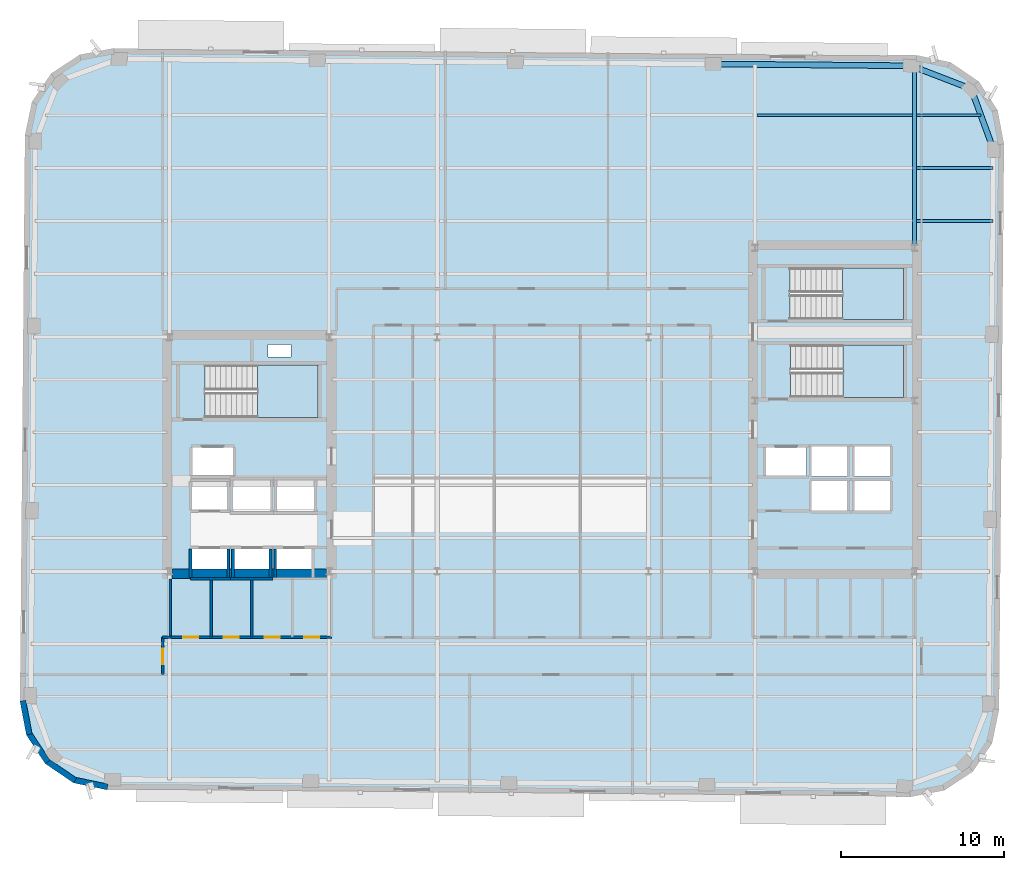
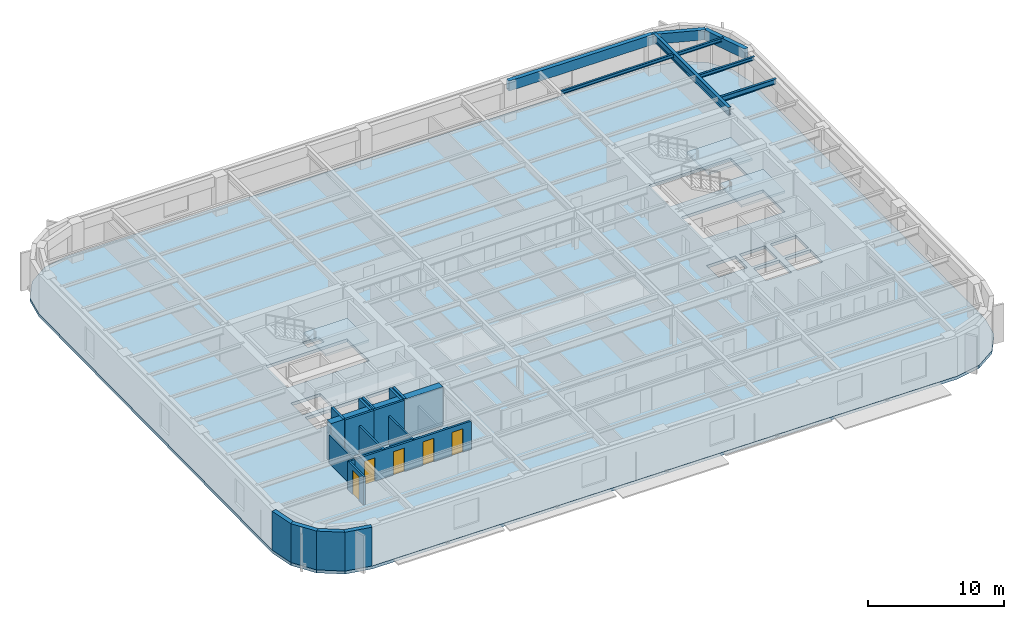
# One storey, part 3 of 12: 18 walls, 8 beams, 5 doors, 4 slabs, 5 openings, 3 elements without a shape of their own.
"""IFC4 building model written with IfcOpenShell, lengths in metres."""

from ifc_helpers import new_model, si_unit, direction, frame, frame_2d, origin, origin_2d, place, context, subcontext, project, spatial, polyline, rectangle, hollow_rectangle, i_section, outline, extrude, material, layer, layer_set, material_profile, profile_set, type_object, element, fill, aggregate, save


model = new_model("IFC4")

# Units and contexts
model_context = context("Model", 3, precision=1e-05, world=origin(), true_north=direction((0.0, 1.0)))
body_context = subcontext(model_context, "Body", "Model", "MODEL_VIEW")
ifc_project = project(units=[si_unit("LENGTHUNIT", "METRE"), si_unit("AREAUNIT", "SQUARE_METRE"), si_unit("VOLUMEUNIT", "CUBIC_METRE"), si_unit("PLANEANGLEUNIT", "RADIAN"), si_unit("MASSUNIT", "GRAM", prefix="KILO")], contexts=[model_context])

# Site, building, storey
site_placement = place(None, origin())
site = spatial("IfcSite", under=ifc_project, at=site_placement, CompositionType="ELEMENT")
building_placement = place(site_placement, origin())
building = spatial("IfcBuilding", under=site, at=building_placement, Name="Kolvaren Arena Tower", CompositionType="ELEMENT")
storey_placement = place(building_placement, frame((0.0, 0.0, 165.949951171875)))
storey = spatial("IfcBuildingStorey", under=building, at=storey_placement, Name="L39", CompositionType="ELEMENT", Elevation=165.949951171875)

# Beams
ifc_material_1 = material(Name="Steel CSA G40.21 350W", Category="steel")
ifc_material_profile_1 = material_profile(ifc_material_1, i_section(OverallWidth=0.193115234375, OverallDepth=0.462890625, WebThickness=0.0107421875, FlangeThickness=0.0205078125, FilletRadius=0.012939453125, at=origin_2d()), Name="W460x113")
ifc_profile_set_1 = profile_set([ifc_material_profile_1], Name="Steel CSA G40.21 350W")
beam_type_1 = type_object("IfcBeamType", Name="BEAM-F2", PredefinedType="BEAM", material=ifc_profile_set_1)
beam_1_placement = place(storey_placement, frame((60.4775390625, 41.0, 3.24853515625), z_axis=(1.0, 0.0, 0.0), x_axis=(0.0, 1.0, 0.0)))
element("IfcBeam", 1, at=beam_1_placement, inside=storey, type_object=beam_type_1, Name="Composite Floor Beam (L39)", PredefinedType="BEAM", context=body_context, shape_type="SweptSolid", body=[
    extrude(i_section(OverallWidth=0.193115234375, OverallDepth=0.462890625, WebThickness=0.0107421875, FlangeThickness=0.0205078125, FilletRadius=0.012939453125, at=origin_2d()), origin(), (0.0, 0.0, 1.0), 4.681884765625),
])
ifc_material_profile_2 = material_profile(ifc_material_1, i_section(OverallWidth=0.2548828125, OverallDepth=0.695068359375, WebThickness=0.01708984375, FlangeThickness=0.02978515625, FilletRadius=0.01611328125, at=origin_2d()), Name="W690x217")
ifc_profile_set_2 = profile_set([ifc_material_profile_2], Name="Steel CSA G40.21 350W")
beam_type_2 = type_object("IfcBeamType", Name="GIRD-T2", PredefinedType="BEAM", material=ifc_profile_set_2)
beam_2_placement = place(storey_placement, frame((60.35009765625, 39.47998046875, 3.132568359375), z_axis=(0.0, 1.0, 0.0), x_axis=(-1.0, 0.0, 0.0)))
element("IfcBeam", 2, at=beam_2_placement, inside=storey, type_object=beam_type_2, Name="Primary Floor Girder (L39)", PredefinedType="BEAM", context=body_context, shape_type="SweptSolid", body=[
    extrude(i_section(OverallWidth=0.2548828125, OverallDepth=0.695068359375, WebThickness=0.01708984375, FlangeThickness=0.02978515625, FilletRadius=0.01611328125, at=origin_2d()), origin(), (0.0, 0.0, 1.0), 10.976806640625),
])
ifc_material_profile_3 = material_profile(ifc_material_1, i_section(OverallWidth=0.1669921875, OverallDepth=0.31689453125, WebThickness=0.007568359375, FlangeThickness=0.01318359375, FilletRadius=0.010009765625, at=origin_2d()), Name="W310x52")
ifc_profile_set_3 = profile_set([ifc_material_profile_3], Name="Steel CSA G40.21 350W")
beam_type_3 = type_object("IfcBeamType", Name="JOIST-02", PredefinedType="JOIST", material=ifc_profile_set_3)
beam_3_placement = place(storey_placement, frame((60.4775390625, 44.25, 3.321533203125), z_axis=(1.0, 0.0, 0.0), x_axis=(0.0, 1.0, 0.0)))
element("IfcBeam", 3, at=beam_3_placement, inside=storey, type_object=beam_type_3, Name="Composite Floor Joist (L39)", PredefinedType="JOIST", context=body_context, shape_type="SweptSolid", body=[
    extrude(i_section(OverallWidth=0.1669921875, OverallDepth=0.31689453125, WebThickness=0.007568359375, FlangeThickness=0.01318359375, FilletRadius=0.010009765625, at=origin_2d()), origin(), (0.0, 0.0, 1.0), 4.710205078125),
])
beam_4_placement = place(storey_placement, frame((50.677490234375, 47.5, 3.321533203125), z_axis=(1.0, 0.0, 0.0), x_axis=(0.0, 1.0, 0.0)))
element("IfcBeam", 4, at=beam_4_placement, inside=storey, type_object=beam_type_3, Name="Composite Floor Joist (L39)", PredefinedType="JOIST", context=body_context, shape_type="SweptSolid", body=[
    extrude(i_section(OverallWidth=0.1669921875, OverallDepth=0.31689453125, WebThickness=0.007568359375, FlangeThickness=0.01318359375, FilletRadius=0.010009765625, at=origin_2d()), origin(), (0.0, 0.0, 1.0), 9.544921875),
])
beam_5_placement = place(storey_placement, frame((60.4775390625, 47.5, 3.321533203125), z_axis=(1.0, 0.0, 0.0), x_axis=(0.0, 1.0, 0.0)))
element("IfcBeam", 5, at=beam_5_placement, inside=storey, type_object=beam_type_3, Name="Composite Floor Joist (L39)", PredefinedType="JOIST", context=body_context, shape_type="SweptSolid", body=[
    extrude(i_section(OverallWidth=0.1669921875, OverallDepth=0.31689453125, WebThickness=0.007568359375, FlangeThickness=0.01318359375, FilletRadius=0.010009765625, at=origin_2d()), origin(), (0.0, 0.0, 1.0), 3.950439453125),
])
ifc_material_2 = material(Name="Steel CSA G40.21 350WT", Category="steel")
ifc_material_profile_4 = material_profile(ifc_material_2, hollow_rectangle(XDim=0.35009765625, YDim=0.89990234375, WallThickness=0.02001953125, at=origin_2d()), Name="HSS 900x350x20")
ifc_profile_set_4 = profile_set([ifc_material_profile_4], Name="Steel CSA G40.21 350WT")
beam_type_4 = type_object("IfcBeamType", Name="SPAND-01", PredefinedType="SPANDREL", material=ifc_profile_set_4)
for number, where, z_axis, x_axis, name in (
    (6, (65.19775390625, 45.392333984375, 3.030029296875), (-0.343059102458, 0.939313819882, 0.0), (-0.939313819882, -0.343059102458, 0.0), "Perimeter Spandrel Beam (L39)"),
    (7, (63.8388671875, 49.113037109375, 3.030029296875), (-0.933189846698, 0.359383792094, 0.0), (-0.359383792094, -0.933189846698, 0.0), "Perimeter Spandrel Beam (L39)"),
):
    element("IfcBeam", number, at=place(storey_placement, frame(where, z_axis=z_axis, x_axis=x_axis)), inside=storey, type_object=beam_type_4, Name=name, PredefinedType="SPANDREL", context=body_context, shape_type="SweptSolid", body=[
        extrude(hollow_rectangle(XDim=0.35009765625, YDim=0.89990234375, WallThickness=0.02001953125, at=origin_2d()), origin(), (0.0, 0.0, 1.0), 3.961181640625),
    ])
beam_6_placement = place(storey_placement, frame((60.142333984375, 50.53662109375, 3.030029296875), z_axis=(-0.99996195503, 0.008722871848, 0.0), x_axis=(-0.008722871848, -0.99996195503, 0.0)))
element("IfcBeam", 8, at=beam_6_placement, inside=storey, type_object=beam_type_4, Name="Perimeter Spandrel Beam (L39)", PredefinedType="SPANDREL", context=body_context, shape_type="SweptSolid", body=[
    extrude(hollow_rectangle(XDim=0.35009765625, YDim=0.89990234375, WallThickness=0.02001953125, at=origin_2d()), origin(), (0.0, 0.0, 1.0), 12.175048828125),
])

# Stair, slab
ifc_material_3 = material(Name="Concrete 45 MPa", Category="concrete")
stair_type_1 = type_object("IfcStairType", Name="STAIR-CORE-165", PredefinedType="HALF_TURN_STAIR", material=ifc_material_3)
stair_1_placement = place(storey_placement, origin())
stair_1 = element("IfcStair", 9, at=stair_1_placement, inside=storey, type_object=stair_type_1, Name="L39 ST-W1", PredefinedType="HALF_TURN_STAIR")
ifc_layer_1 = layer(ifc_material_3, 0.199951171875)
ifc_layer_set_1 = layer_set([ifc_layer_1], Name="Concrete 45 MPa")
slab_type_1 = type_object("IfcSlabType", Name="SLAB-LAND", PredefinedType="LANDING", material=ifc_layer_set_1)
slab_1_placement = place(storey_placement, frame((0.0, 0.0, 1.675048828125)))
slab_1 = element("IfcSlab", 10, at=slab_1_placement, type_object=slab_type_1, Name="ST-W1 landing 1", PredefinedType="LANDING", context=body_context, shape_type="SweptSolid", body=[
    extrude(outline(polyline([(19.9599609375, 28.89990234375), (23.659912109375, 28.89990234375), (23.659912109375, 32.1298828125), (19.9599609375, 32.1298828125), (19.9599609375, 28.89990234375)])), origin(), (0.0, 0.0, 1.0), 0.199951171875),
])
aggregate(stair_1, [slab_1])

stair_2_placement = place(storey_placement, origin())
stair_2 = element("IfcStair", 11, at=stair_2_placement, inside=storey, type_object=stair_type_1, Name="L39 ST-E1", PredefinedType="HALF_TURN_STAIR")
slab_2_placement = place(storey_placement, frame((0.0, 0.0, 1.675048828125)))
slab_2 = element("IfcSlab", 12, at=slab_2_placement, type_object=slab_type_1, Name="ST-E1 landing 1", PredefinedType="LANDING", context=body_context, shape_type="SweptSolid", body=[
    extrude(outline(polyline([(55.9599609375, 30.14990234375), (59.659912109375, 30.14990234375), (59.659912109375, 33.3798828125), (55.9599609375, 33.3798828125), (55.9599609375, 30.14990234375)])), origin(), (0.0, 0.0, 1.0), 0.199951171875),
])
aggregate(stair_2, [slab_2])

stair_type_2 = type_object("IfcStairType", Name="STAIR-CORE-150", PredefinedType="HALF_TURN_STAIR", material=ifc_material_3)
stair_3_placement = place(storey_placement, origin())
stair_3 = element("IfcStair", 13, at=stair_3_placement, inside=storey, type_object=stair_type_2, Name="L39 ST-E2", PredefinedType="HALF_TURN_STAIR")
slab_3_placement = place(storey_placement, frame((0.0, 0.0, 1.675048828125)))
slab_3 = element("IfcSlab", 14, at=slab_3_placement, type_object=slab_type_1, Name="ST-E2 landing 1", PredefinedType="LANDING", context=body_context, shape_type="SweptSolid", body=[
    extrude(outline(polyline([(55.919921875, 34.949951171875), (59.659912109375, 34.949951171875), (59.659912109375, 38.10009765625), (55.919921875, 38.10009765625), (55.919921875, 34.949951171875)])), origin(), (0.0, 0.0, 1.0), 0.199951171875),
])
aggregate(stair_3, [slab_3])

# Slab
ifc_layer_2 = layer(ifc_material_3, 0.27001953125)
ifc_layer_set_2 = layer_set([ifc_layer_2], Name="Concrete 45 MPa")
slab_type_2 = type_object("IfcSlabType", Name="SLAB-OFF2", PredefinedType="FLOOR", material=ifc_layer_set_2)
slab_4_placement = place(storey_placement, frame((0.0, 0.0, -0.27001953125)))
element("IfcSlab", 15, at=slab_4_placement, inside=storey, type_object=slab_type_2, Name="L39 Primary Structural Slab", PredefinedType="FLOOR", context=body_context, shape_type="SweptSolid", body=[
    extrude(outline(polyline([(60.10009765625, 5.585205078125), (62.170166015625, 5.978271484375), (63.93212890625, 7.133544921875), (65.117919921875, 8.875244140625), (65.547119140625, 10.93798828125), (65.8505859375, 45.73681640625), (65.457763671875, 47.806640625), (64.302490234375, 49.568603515625), (62.560791015625, 50.75439453125), (60.498046875, 51.18359375), (11.099853515625, 51.61474609375), (9.02978515625, 51.2216796875), (7.267822265625, 50.06640625), (6.08203125, 48.32470703125), (5.653076171875, 46.261962890625), (5.349365234375, 11.46337890625), (5.7421875, 9.393310546875), (6.8974609375, 7.63134765625), (8.63916015625, 6.445556640625), (10.701904296875, 6.016357421875), (60.10009765625, 5.585205078125)]), holes=[polyline([(15.93505859375, 19.0849609375), (15.93505859375, 20.81494140625), (18.06494140625, 20.81494140625), (18.06494140625, 19.0849609375), (15.93505859375, 19.0849609375)]), polyline([(18.534912109375, 19.0849609375), (18.534912109375, 20.81494140625), (20.6650390625, 20.81494140625), (20.6650390625, 19.0849609375), (18.534912109375, 19.0849609375)]), polyline([(21.135009765625, 19.0849609375), (21.135009765625, 20.81494140625), (23.264892578125, 20.81494140625), (23.264892578125, 19.0849609375), (21.135009765625, 19.0849609375)]), polyline([(18.4599609375, 23.135009765625), (18.4599609375, 25.06494140625), (20.739990234375, 25.06494140625), (20.739990234375, 23.135009765625), (18.4599609375, 23.135009765625)]), polyline([(21.159912109375, 23.135009765625), (21.159912109375, 25.06494140625), (23.43994140625, 25.06494140625), (23.43994140625, 23.135009765625), (21.159912109375, 23.135009765625)]), polyline([(54.030029296875, 23.18505859375), (54.030029296875, 25.014892578125), (56.2099609375, 25.014892578125), (56.2099609375, 23.18505859375), (54.030029296875, 23.18505859375)]), polyline([(56.669921875, 23.18505859375), (56.669921875, 25.014892578125), (58.85009765625, 25.014892578125), (58.85009765625, 23.18505859375), (56.669921875, 23.18505859375)]), polyline([(15.93505859375, 23.235107421875), (15.93505859375, 24.965087890625), (18.06494140625, 24.965087890625), (18.06494140625, 23.235107421875), (15.93505859375, 23.235107421875)]), polyline([(54.030029296875, 25.284912109375), (54.030029296875, 27.114990234375), (56.2099609375, 27.114990234375), (56.2099609375, 25.284912109375), (54.030029296875, 25.284912109375)]), polyline([(56.669921875, 25.284912109375), (56.669921875, 27.114990234375), (58.85009765625, 27.114990234375), (58.85009765625, 25.284912109375), (56.669921875, 25.284912109375)]), polyline([(15.9599609375, 25.3349609375), (15.9599609375, 27.06494140625), (18.43994140625, 27.06494140625), (18.43994140625, 25.3349609375), (15.9599609375, 25.3349609375)]), polyline([(51.219970703125, 25.3349609375), (51.219970703125, 27.06494140625), (53.699951171875, 27.06494140625), (53.699951171875, 25.3349609375), (51.219970703125, 25.3349609375)]), polyline([(16.735107421875, 28.89990234375), (16.735107421875, 32.1298828125), (23.659912109375, 32.1298828125), (23.659912109375, 28.89990234375), (16.735107421875, 28.89990234375)]), polyline([(52.735107421875, 30.14990234375), (52.735107421875, 33.3798828125), (59.659912109375, 33.3798828125), (59.659912109375, 30.14990234375), (52.735107421875, 30.14990234375)]), polyline([(20.60009765625, 32.6201171875), (20.60009765625, 33.39990234375), (22.0, 33.39990234375), (22.0, 32.6201171875), (20.60009765625, 32.6201171875)]), polyline([(52.695068359375, 34.949951171875), (52.695068359375, 38.10009765625), (59.659912109375, 38.10009765625), (59.659912109375, 34.949951171875), (52.695068359375, 34.949951171875)])]), origin(), (0.0, 0.0, 1.0), 0.27001953125),
])

# Wall, opening, door
ifc_material_4 = material(Name="Gypsum board acoustic assembly", Category="gypsum")
ifc_layer_3 = layer(ifc_material_4, 0.159912109375)
ifc_layer_set_3 = layer_set([ifc_layer_3], Name="Gypsum board acoustic assembly")
wall_type_1 = type_object("IfcWallType", Name="CORR-160", PredefinedType="PARTITIONING", material=ifc_layer_set_3)
wall_1_placement = place(storey_placement, frame((14.1201171875, 13.10009765625, 0.0), z_axis=(0.0, 0.0, 1.0), x_axis=(0.0, 1.0, 0.0)))
wall_1 = element("IfcWall", 16, at=wall_1_placement, inside=storey, type_object=wall_type_1, Name="Interior Partition Wall (L39)", PredefinedType="PARTITIONING", context=body_context, shape_type="SweptSolid", body=[
    extrude(rectangle(XDim=2.2998046875, YDim=0.159912109375, at=frame_2d((1.14990234375, 0.0))), origin(), (0.0, 0.0, 1.0), 2.5400390625),
])
opening_1_placement = place(wall_1_placement, frame((0.64990234375, 0.0, 0.0)))
opening_1 = element("IfcOpeningElement", 17, at=opening_1_placement, cuts=wall_1, Name="Opening D05", PredefinedType="OPENING", context=body_context, shape_type="SweptSolid", body=[
    extrude(rectangle(XDim=0.949951171875, YDim=2.14990234375, at=frame_2d((0.47509765625, 1.074951171875))), frame((0.0, 0.08984375, 0.0), z_axis=(0.0, -1.0, 0.0), x_axis=(1.0, 0.0, 0.0)), (0.0, 0.0, 1.0), 0.179931640625),
])
ifc_material_5 = material(Name="Solid-core oak acoustic office door", Category="wood")
door_type_1 = type_object("IfcDoorType", Name="DOOR-OF-095", OperationType="NOTDEFINED", PredefinedType="DOOR", material=ifc_material_5)
door_1_placement = place(opening_1_placement, origin())
door_1 = element("IfcDoor", 18, at=door_1_placement, inside=storey, type_object=door_type_1, Name="West Wing Office Door (L39)", OperationType="SINGLE_SWING_LEFT", OverallHeight=2.14990234375, OverallWidth=0.949951171875, PredefinedType="DOOR", context=body_context, shape_type="SweptSolid", body=[
    extrude(rectangle(XDim=0.949951171875, YDim=2.14990234375, at=frame_2d((0.47509765625, 1.074951171875))), frame((0.0, 0.02490234375, 0.0), z_axis=(0.0, -1.0, 0.0), x_axis=(1.0, 0.0, 0.0)), (0.0, 0.0, 1.0), 0.050048828125),
])
fill(opening_1, door_1)

# Walls
wall_2_placement = place(storey_placement, frame((14.1201171875, 15.39990234375, 0.0), z_axis=(0.0, 0.0, 1.0), x_axis=(1.0, 0.0, 0.0)))
element("IfcWall", 19, at=wall_2_placement, inside=storey, type_object=wall_type_1, Name="Interior Partition Wall (L39)", PredefinedType="PARTITIONING", context=body_context, shape_type="SweptSolid", body=[
    extrude(rectangle(XDim=0.5, YDim=0.159912109375, at=frame_2d((0.25, 0.0))), origin(), (0.0, 0.0, 1.0), 2.5400390625),
])
ifc_material_6 = material(Name="Concrete 60 MPa", Category="concrete")
ifc_layer_4 = layer(ifc_material_6, 0.60009765625)
ifc_layer_set_4 = layer_set([ifc_layer_4], Name="Concrete 60 MPa")
wall_type_2 = type_object("IfcWallType", Name="CWALL-600", PredefinedType="SHEAR", material=ifc_layer_set_4)
wall_3_placement = place(storey_placement, frame((14.699951171875, 19.300048828125, -0.27001953125), z_axis=(0.0, 0.0, 1.0), x_axis=(1.0, 0.0, 0.0)))
element("IfcWall", 20, at=wall_3_placement, inside=storey, type_object=wall_type_2, Name="Core Shear Wall WC-SOUTH (L39)", PredefinedType="SHEAR", context=body_context, shape_type="SweptSolid", body=[
    extrude(rectangle(XDim=9.5, YDim=0.60009765625, at=frame_2d((4.75, 0.0))), origin(), (0.0, 0.0, 1.0), 3.75),
])
ifc_material_7 = material(Name="Precast concrete C50/60", Category="concrete")
ifc_layer_5 = layer(ifc_material_7, 0.360107421875)
ifc_layer_set_5 = layer_set([ifc_layer_5], Name="Precast concrete C50/60")
wall_type_3 = type_object("IfcWallType", Name="EXT-PIER2", PredefinedType="SOLIDWALL", material=ifc_layer_set_5)
for number, where, z_axis, x_axis, name in (
    (21, (5.919189453125, 9.427001953125, 0.0), (0.0, 0.0, 1.0), (-0.186568933123, 0.982441872679, 0.0), "Exterior Precast Masonry-Frame Wall (L39)"),
    (22, (7.048095703125, 7.72998046875, 0.0), (0.0, 0.0, 1.0), (-0.548319766745, 0.836268756678, 0.0), "Exterior Precast Masonry-Frame Wall (L39)"),
    (23, (8.740478515625, 6.59423828125, 0.0), (0.0, 0.0, 1.0), (-0.826609569219, 0.56277581689, 0.0), "Exterior Precast Masonry-Frame Wall (L39)"),
):
    element("IfcWall", number, at=place(storey_placement, frame(where, z_axis=z_axis, x_axis=x_axis)), inside=storey, type_object=wall_type_3, Name=name, PredefinedType="SOLIDWALL", context=body_context, shape_type="SweptSolid", body=[
        extrude(rectangle(XDim=2.10693359375, YDim=0.360107421875, at=frame_2d((1.053466796875, 0.0))), origin(), (0.0, 0.0, 1.0), 3.47998046875),
    ])
wall_4_placement = place(storey_placement, frame((10.73876953125, 6.192626953125, 0.0), z_axis=(0.0, 0.0, 1.0), x_axis=(-0.979059388908, 0.203574833883, 0.0)))
element("IfcWall", 24, at=wall_4_placement, inside=storey, type_object=wall_type_3, Name="Exterior Precast Masonry-Frame Wall (L39)", PredefinedType="SOLIDWALL", context=body_context, shape_type="SweptSolid", body=[
    extrude(rectangle(XDim=2.107177734375, YDim=0.360107421875, at=frame_2d((1.0537109375, 0.0))), origin(), (0.0, 0.0, 1.0), 3.47998046875),
])
ifc_layer_6 = layer(ifc_material_3, 0.25)
ifc_layer_set_6 = layer_set([ifc_layer_6], Name="Concrete 45 MPa")
wall_type_4 = type_object("IfcWallType", Name="SHAFT-250", PredefinedType="SOLIDWALL", material=ifc_layer_set_6)
wall_5_placement = place(storey_placement, frame((15.844970703125, 18.9951171875, 0.0), z_axis=(0.0, 0.0, 1.0), x_axis=(1.0, 0.0, 0.0)))
element("IfcWall", 25, at=wall_5_placement, inside=storey, type_object=wall_type_4, Name="Core Shaft Wall (L39)", PredefinedType="SOLIDWALL", context=body_context, shape_type="SweptSolid", body=[
    extrude(rectangle(XDim=2.455078125, YDim=0.179931640625, at=frame_2d((1.2275390625, 0.0))), origin(), (0.0, 0.0, 1.0), 3.47998046875),
])
for number, where, z_axis, x_axis, name in (
    (26, (15.844970703125, 19.0849609375, 0.0), (0.0, 0.0, 1.0), (0.0, 1.0, 0.0), "Core Shaft Wall (L39)"),
    (27, (18.155029296875, 19.0849609375, 0.0), (0.0, 0.0, 1.0), (0.0, 1.0, 0.0), "Core Shaft Wall (L39)"),
):
    element("IfcWall", number, at=place(storey_placement, frame(where, z_axis=z_axis, x_axis=x_axis)), inside=storey, type_object=wall_type_4, Name=name, PredefinedType="SOLIDWALL", context=body_context, shape_type="SweptSolid", body=[
        extrude(rectangle(XDim=1.72998046875, YDim=0.179931640625, at=frame_2d((0.864990234375, 0.0))), origin(), (0.0, 0.0, 1.0), 3.47998046875),
    ])
wall_6_placement = place(storey_placement, frame((18.300048828125, 18.9951171875, 0.0), z_axis=(0.0, 0.0, 1.0), x_axis=(1.0, 0.0, 0.0)))
element("IfcWall", 28, at=wall_6_placement, inside=storey, type_object=wall_type_4, Name="Core Shaft Wall (L39)", PredefinedType="SOLIDWALL", context=body_context, shape_type="SweptSolid", body=[
    extrude(rectangle(XDim=2.599853515625, YDim=0.179931640625, at=frame_2d((1.2998046875, 0.0))), origin(), (0.0, 0.0, 1.0), 3.47998046875),
])
for number, where, z_axis, x_axis, name in (
    (29, (18.445068359375, 19.0849609375, 0.0), (0.0, 0.0, 1.0), (0.0, 1.0, 0.0), "Core Shaft Wall (L39)"),
    (30, (20.7548828125, 19.0849609375, 0.0), (0.0, 0.0, 1.0), (0.0, 1.0, 0.0), "Core Shaft Wall (L39)"),
    (31, (21.044921875, 19.0849609375, 0.0), (0.0, 0.0, 1.0), (0.0, 1.0, 0.0), "Core Shaft Wall (L39)"),
):
    element("IfcWall", number, at=place(storey_placement, frame(where, z_axis=z_axis, x_axis=x_axis)), inside=storey, type_object=wall_type_4, Name=name, PredefinedType="SOLIDWALL", context=body_context, shape_type="SweptSolid", body=[
        extrude(rectangle(XDim=1.72998046875, YDim=0.179931640625, at=frame_2d((0.864990234375, 0.0))), origin(), (0.0, 0.0, 1.0), 3.47998046875),
    ])
ifc_material_8 = material(Name="Moisture-resistant gypsum assembly", Category="gypsum")
ifc_layer_7 = layer(ifc_material_8, 0.14990234375)
ifc_layer_set_7 = layer_set([ifc_layer_7], Name="Moisture-resistant gypsum assembly")
wall_type_5 = type_object("IfcWallType", Name="WETW-150", PredefinedType="PARTITIONING", material=ifc_layer_set_7)
for number, where, z_axis, x_axis, name in (
    (32, (17.10009765625, 15.39990234375, 0.0), (0.0, 0.0, 1.0), (0.0, 1.0, 0.0), "Interior Partition Wall (L39)"),
    (33, (19.60009765625, 15.39990234375, 0.0), (0.0, 0.0, 1.0), (0.0, 1.0, 0.0), "Interior Partition Wall (L39)"),
):
    element("IfcWall", number, at=place(storey_placement, frame(where, z_axis=z_axis, x_axis=x_axis)), inside=storey, type_object=wall_type_5, Name=name, PredefinedType="PARTITIONING", context=body_context, shape_type="SweptSolid", body=[
        extrude(rectangle(XDim=3.580078125, YDim=0.14990234375, at=frame_2d((1.7900390625, 0.0))), origin(), (0.0, 0.0, 1.0), 2.5400390625),
    ])

# Wall, openings, doors
wall_7_placement = place(storey_placement, frame((14.60009765625, 15.39990234375, 0.0), z_axis=(0.0, 0.0, 1.0), x_axis=(1.0, 0.0, 0.0)))
wall_7 = element("IfcWall", 34, at=wall_7_placement, inside=storey, type_object=wall_type_5, Name="Interior Partition Wall (L39)", PredefinedType="PARTITIONING", context=body_context, shape_type="SweptSolid", body=[
    extrude(rectangle(XDim=9.89990234375, YDim=0.179931640625, at=frame_2d((4.949951171875, 0.0))), origin(), (0.0, 0.0, 1.0), 2.5400390625),
])
opening_2_placement = place(wall_7_placement, frame((0.7900390625, 0.0, 0.0)))
opening_2 = element("IfcOpeningElement", 35, at=opening_2_placement, cuts=wall_7, Name="Opening D07", PredefinedType="OPENING", context=body_context, shape_type="SweptSolid", body=[
    extrude(rectangle(XDim=0.919921875, YDim=2.10009765625, at=frame_2d((0.4599609375, 1.050048828125))), frame((0.0, 0.099853515625, 0.0), z_axis=(0.0, -1.0, 0.0), x_axis=(1.0, 0.0, 0.0)), (0.0, 0.0, 1.0), 0.199951171875),
])
opening_3_placement = place(wall_7_placement, frame((3.2900390625, 0.0, 0.0)))
opening_3 = element("IfcOpeningElement", 36, at=opening_3_placement, cuts=wall_7, Name="Opening D07", PredefinedType="OPENING", context=body_context, shape_type="SweptSolid", body=[
    extrude(rectangle(XDim=0.919921875, YDim=2.10009765625, at=frame_2d((0.4599609375, 1.050048828125))), frame((0.0, 0.099853515625, 0.0), z_axis=(0.0, -1.0, 0.0), x_axis=(1.0, 0.0, 0.0)), (0.0, 0.0, 1.0), 0.199951171875),
])
opening_4_placement = place(wall_7_placement, frame((5.7900390625, 0.0, 0.0)))
opening_4 = element("IfcOpeningElement", 37, at=opening_4_placement, cuts=wall_7, Name="Opening D07", PredefinedType="OPENING", context=body_context, shape_type="SweptSolid", body=[
    extrude(rectangle(XDim=0.919921875, YDim=2.10009765625, at=frame_2d((0.4599609375, 1.050048828125))), frame((0.0, 0.099853515625, 0.0), z_axis=(0.0, -1.0, 0.0), x_axis=(1.0, 0.0, 0.0)), (0.0, 0.0, 1.0), 0.199951171875),
])
opening_5_placement = place(wall_7_placement, frame((8.239990234375, 0.0, 0.0)))
opening_5 = element("IfcOpeningElement", 38, at=opening_5_placement, cuts=wall_7, Name="Opening D07", PredefinedType="OPENING", context=body_context, shape_type="SweptSolid", body=[
    extrude(rectangle(XDim=0.919921875, YDim=2.10009765625, at=frame_2d((0.4599609375, 1.050048828125))), frame((0.0, 0.099853515625, 0.0), z_axis=(0.0, -1.0, 0.0), x_axis=(1.0, 0.0, 0.0)), (0.0, 0.0, 1.0), 0.199951171875),
])
ifc_material_9 = material(Name="Laminate universal washroom door", Category="wood")
door_type_2 = type_object("IfcDoorType", Name="DOOR-WC-092", OperationType="NOTDEFINED", PredefinedType="DOOR", material=ifc_material_9)
door_2_placement = place(opening_2_placement, origin())
door_2 = element("IfcDoor", 39, at=door_2_placement, inside=storey, type_object=door_type_2, Name="Women Restroom Door (L39)", OperationType="SINGLE_SWING_LEFT", OverallHeight=2.10009765625, OverallWidth=0.919921875, PredefinedType="DOOR", context=body_context, shape_type="SweptSolid", body=[
    extrude(rectangle(XDim=0.919921875, YDim=2.10009765625, at=frame_2d((0.4599609375, 1.050048828125))), frame((0.0, 0.02490234375, 0.0), z_axis=(0.0, -1.0, 0.0), x_axis=(1.0, 0.0, 0.0)), (0.0, 0.0, 1.0), 0.050048828125),
])
fill(opening_2, door_2)
door_3_placement = place(opening_3_placement, origin())
door_3 = element("IfcDoor", 40, at=door_3_placement, inside=storey, type_object=door_type_2, Name="Men Restroom Door (L39)", OperationType="SINGLE_SWING_RIGHT", OverallHeight=2.10009765625, OverallWidth=0.919921875, PredefinedType="DOOR", context=body_context, shape_type="SweptSolid", body=[
    extrude(rectangle(XDim=0.919921875, YDim=2.10009765625, at=frame_2d((0.4599609375, 1.050048828125))), frame((0.0, 0.02490234375, 0.0), z_axis=(0.0, -1.0, 0.0), x_axis=(1.0, 0.0, 0.0)), (0.0, 0.0, 1.0), 0.050048828125),
])
fill(opening_3, door_3)
door_4_placement = place(opening_4_placement, origin())
door_4 = element("IfcDoor", 41, at=door_4_placement, inside=storey, type_object=door_type_2, Name="Universal Barrier-Free Washroom Door (L39)", OperationType="SINGLE_SWING_LEFT", OverallHeight=2.10009765625, OverallWidth=0.919921875, PredefinedType="DOOR", context=body_context, shape_type="SweptSolid", body=[
    extrude(rectangle(XDim=0.919921875, YDim=2.10009765625, at=frame_2d((0.4599609375, 1.050048828125))), frame((0.0, 0.02490234375, 0.0), z_axis=(0.0, -1.0, 0.0), x_axis=(1.0, 0.0, 0.0)), (0.0, 0.0, 1.0), 0.050048828125),
])
fill(opening_4, door_4)
door_5_placement = place(opening_5_placement, origin())
door_5 = element("IfcDoor", 42, at=door_5_placement, inside=storey, type_object=door_type_2, Name="Linen Store Door (L39)", OperationType="SINGLE_SWING_RIGHT", OverallHeight=2.10009765625, OverallWidth=0.919921875, PredefinedType="DOOR", context=body_context, shape_type="SweptSolid", body=[
    extrude(rectangle(XDim=0.919921875, YDim=2.10009765625, at=frame_2d((0.4599609375, 1.050048828125))), frame((0.0, 0.02490234375, 0.0), z_axis=(0.0, -1.0, 0.0), x_axis=(1.0, 0.0, 0.0)), (0.0, 0.0, 1.0), 0.050048828125),
])
fill(opening_5, door_5)

# Wall
wall_8_placement = place(storey_placement, frame((14.60009765625, 15.39990234375, 0.0), z_axis=(0.0, 0.0, 1.0), x_axis=(0.0, 1.0, 0.0)))
element("IfcWall", 43, at=wall_8_placement, inside=storey, type_object=wall_type_5, Name="Interior Partition Wall (L39)", PredefinedType="PARTITIONING", context=body_context, shape_type="SweptSolid", body=[
    extrude(rectangle(XDim=3.580078125, YDim=0.14990234375, at=frame_2d((1.7900390625, 0.0))), origin(), (0.0, 0.0, 1.0), 2.5400390625),
])

save(model, "model.ifc")
